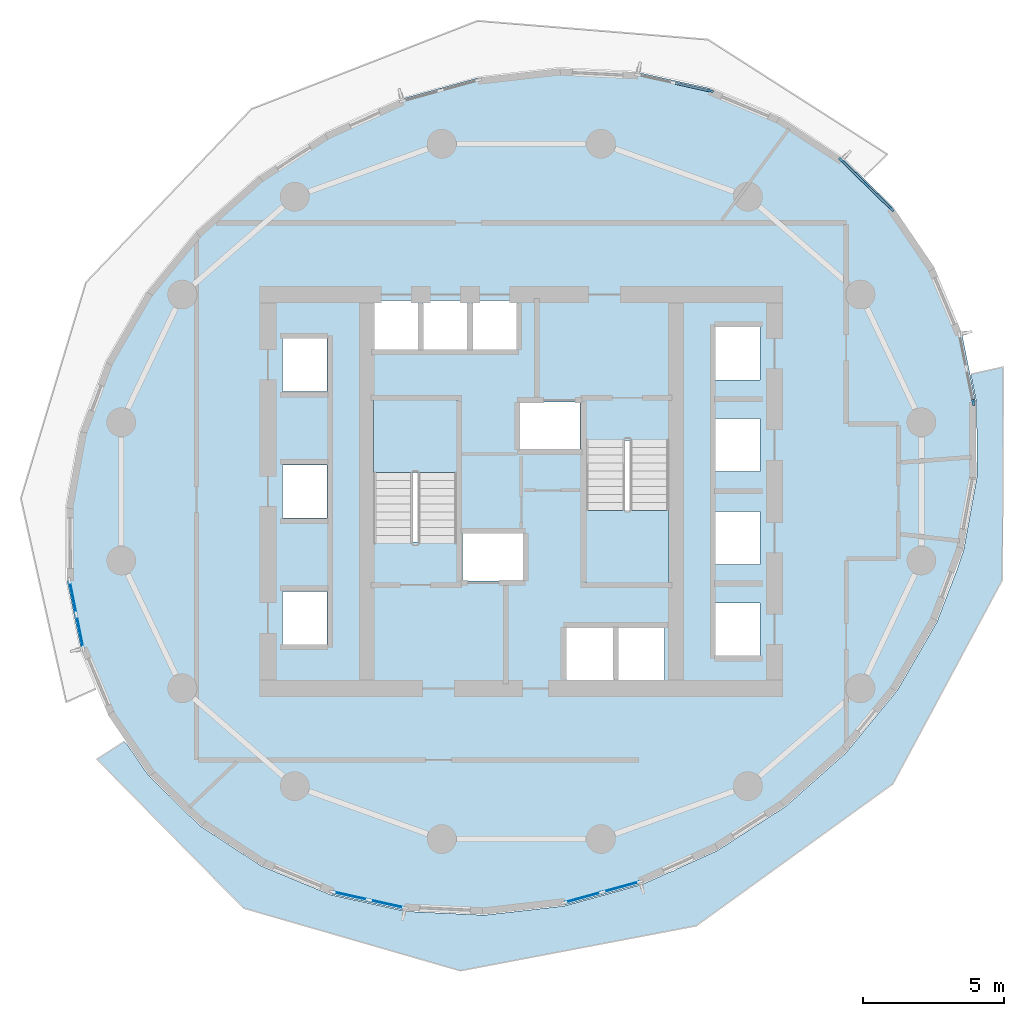
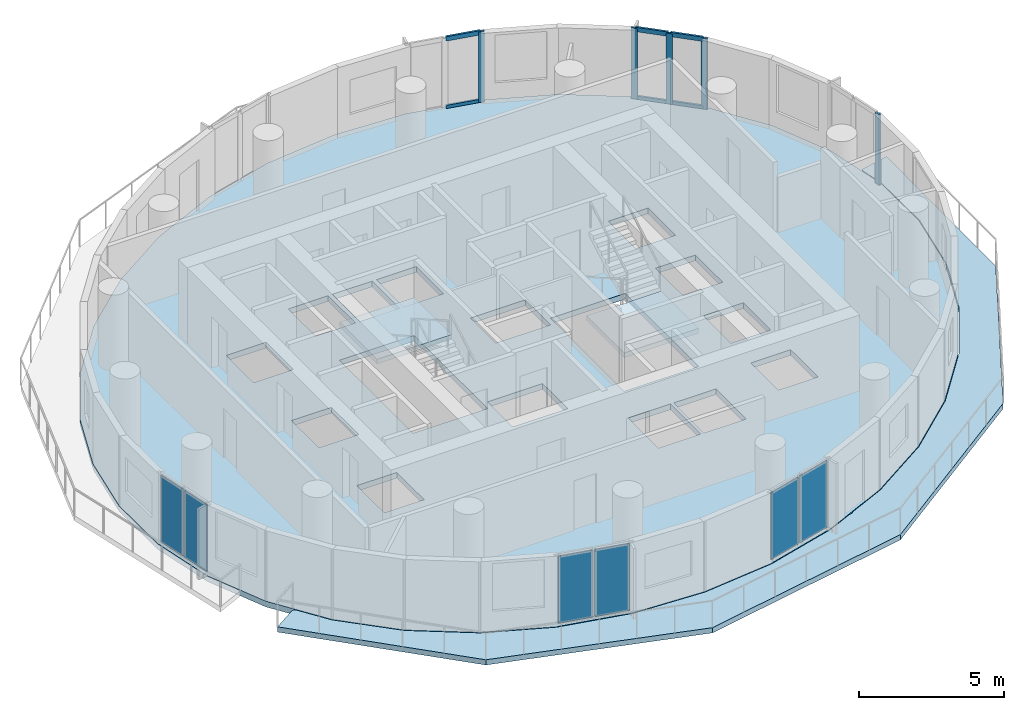
# One storey, part 2 of 11: 11 members, 6 plates, 4 slabs, 8 elements without a shape of their own.
"""IFC4 building model written with IfcOpenShell, lengths in metres."""

from ifc_helpers import new_model, si_unit, direction, frame, origin, origin_2d, place, context, subcontext, project, spatial, polyline, rectangle, outline, extrude, material, layer, layer_set, material_profile, profile_set, type_object, element, aggregate, save


model = new_model("IFC4")

# Units and contexts
model_context = context("Model", 3, precision=1e-05, world=origin(), true_north=direction((0.0, 1.0)))
body_context = subcontext(model_context, "Body", "Model", "MODEL_VIEW")
ifc_project = project(units=[si_unit("LENGTHUNIT", "METRE"), si_unit("AREAUNIT", "SQUARE_METRE"), si_unit("VOLUMEUNIT", "CUBIC_METRE"), si_unit("PLANEANGLEUNIT", "RADIAN"), si_unit("MASSUNIT", "GRAM", prefix="KILO")], contexts=[model_context])

# Site, building, storey
site_placement = place(None, origin())
site = spatial("IfcSite", under=ifc_project, at=site_placement, CompositionType="ELEMENT")
building_placement = place(site_placement, origin())
building = spatial("IfcBuilding", under=site, at=building_placement, Name="Veldorim Arch Residences", CompositionType="ELEMENT")
storey_placement = place(building_placement, frame((0.0, 0.0, 116.9599609375)))
storey = spatial("IfcBuildingStorey", under=building, at=storey_placement, Name="L34", CompositionType="ELEMENT", Elevation=116.9599609375)

# Curtain wall, members
ifc_material_1 = material(Name="Aluminium", Category="aluminium")
curtain_wall_type = type_object("IfcCurtainWallType", Name="Sky Lounge & Conservatory Tall Curtain Wall", PredefinedType="NOTDEFINED", material=ifc_material_1)
curtain_wall_1_placement = place(storey_placement, origin())
curtain_wall_1 = element("IfcCurtainWall", 1, at=curtain_wall_1_placement, inside=storey, type_object=curtain_wall_type, Name="L34 unitised curtain wall bay 02", PredefinedType="NOTDEFINED")
ifc_material_2 = material(Name="Aluminium", Category="aluminium")
ifc_material_profile_1 = material_profile(ifc_material_2, rectangle(XDim=0.080078125, YDim=0.219970703125, at=origin_2d()), Name="ALU_MUL_80x220")
ifc_profile_set_1 = profile_set([ifc_material_profile_1], Name="Aluminium")
member_type_1 = type_object("IfcMemberType", Name="Sky Lounge & Conservatory Tall Curtain Wall Mullion 80x220", PredefinedType="MULLION", material=ifc_profile_set_1)
member_1_placement = place(storey_placement, frame((43.374755859375, 35.77197265625, 0.0), z_axis=(0.0, 0.0, 1.0), x_axis=(0.698573419468, 0.715538383047, 0.0)))
member_1 = element("IfcMember", 2, at=member_1_placement, type_object=member_type_1, Name="CW-SKY mullion 1", PredefinedType="MULLION", context=body_context, shape_type="SweptSolid", body=[
    extrude(rectangle(XDim=0.080078125, YDim=0.219970703125, at=origin_2d()), origin(), (0.0, 0.0, 1.0), 2.9599609375),
])
member_2_placement = place(storey_placement, frame((44.261474609375, 34.90625, 0.0), z_axis=(0.0, 0.0, 1.0), x_axis=(0.698573419468, 0.715538383047, 0.0)))
member_2 = element("IfcMember", 3, at=member_2_placement, type_object=member_type_1, Name="CW-SKY mullion 2", PredefinedType="MULLION", context=body_context, shape_type="SweptSolid", body=[
    extrude(rectangle(XDim=0.080078125, YDim=0.219970703125, at=origin_2d()), origin(), (0.0, 0.0, 1.0), 2.9599609375),
])
member_3_placement = place(storey_placement, frame((45.148193359375, 34.040771484375, 0.0), z_axis=(0.0, 0.0, 1.0), x_axis=(0.698573419468, 0.715538383047, 0.0)))
member_3 = element("IfcMember", 4, at=member_3_placement, type_object=member_type_1, Name="CW-SKY mullion 3", PredefinedType="MULLION", context=body_context, shape_type="SweptSolid", body=[
    extrude(rectangle(XDim=0.080078125, YDim=0.219970703125, at=origin_2d()), origin(), (0.0, 0.0, 1.0), 2.9599609375),
])

# Curtain wall, member
curtain_wall_2_placement = place(storey_placement, origin())
curtain_wall_2 = element("IfcCurtainWall", 5, at=curtain_wall_2_placement, inside=storey, type_object=curtain_wall_type, Name="L34 unitised curtain wall bay 05", PredefinedType="NOTDEFINED")
member_4_placement = place(storey_placement, frame((38.7158203125, 38.234375, 0.0), z_axis=(0.0, 0.0, 1.0), x_axis=(0.215536644615, 0.976495752591, 0.0)))
member_4 = element("IfcMember", 6, at=member_4_placement, type_object=member_type_1, Name="CW-SKY mullion 3", PredefinedType="MULLION", context=body_context, shape_type="SweptSolid", body=[
    extrude(rectangle(XDim=0.080078125, YDim=0.219970703125, at=origin_2d()), origin(), (0.0, 0.0, 1.0), 2.9599609375),
])

curtain_wall_3_placement = place(storey_placement, origin())
curtain_wall_3 = element("IfcCurtainWall", 7, at=curtain_wall_3_placement, inside=storey, type_object=curtain_wall_type, Name="L34 unitised curtain wall bay 35", PredefinedType="NOTDEFINED")
member_5_placement = place(storey_placement, frame((48.061279296875, 27.162109375, 0.0), z_axis=(0.0, 0.0, 1.0), x_axis=(0.980165051786, 0.19818292373, 0.0)))
member_5 = element("IfcMember", 8, at=member_5_placement, type_object=member_type_1, Name="CW-SKY mullion 3", PredefinedType="MULLION", context=body_context, shape_type="SweptSolid", body=[
    extrude(rectangle(XDim=0.080078125, YDim=0.219970703125, at=origin_2d()), origin(), (0.0, 0.0, 1.0), 2.9599609375),
])
aggregate(curtain_wall_3, [member_5])

# Member
ifc_material_3 = material(Name="Aluminium", Category="aluminium")
ifc_material_profile_2 = material_profile(ifc_material_3, rectangle(XDim=0.080078125, YDim=0.18505859375, at=origin_2d()), Name="ALU_TRN_80x185")
ifc_profile_set_2 = profile_set([ifc_material_profile_2], Name="Aluminium")
member_type_2 = type_object("IfcMemberType", Name="Sky Lounge & Conservatory Tall Curtain Wall Transom 80x185", PredefinedType="USERDEFINED", material=ifc_profile_set_2)
member_6_placement = place(storey_placement, frame((43.403564453125, 35.743896484375, 0.0400390625), z_axis=(0.715586740969, -0.698523883736, 0.0), x_axis=(0.698523883736, 0.715586740969, 0.0)))
member_6 = element("IfcMember", 9, at=member_6_placement, type_object=member_type_2, Name="CW-SKY transom 1.1", ObjectType="TRANSOM", PredefinedType="USERDEFINED", context=body_context, shape_type="SweptSolid", body=[
    extrude(rectangle(XDim=0.080078125, YDim=0.18505859375, at=origin_2d()), origin(), (0.0, 0.0, 1.0), 1.158935546875),
])

member_7_placement = place(storey_placement, frame((43.403564453125, 35.743896484375, 2.919921875), z_axis=(0.715586740969, -0.698523883736, 0.0), x_axis=(0.698523883736, 0.715586740969, 0.0)))
member_7 = element("IfcMember", 10, at=member_7_placement, type_object=member_type_2, Name="CW-SKY transom 1.2", ObjectType="TRANSOM", PredefinedType="USERDEFINED", context=body_context, shape_type="SweptSolid", body=[
    extrude(rectangle(XDim=0.080078125, YDim=0.18505859375, at=origin_2d()), origin(), (0.0, 0.0, 1.0), 1.158935546875),
])

member_8_placement = place(storey_placement, frame((44.2900390625, 34.87841796875, 0.0400390625), z_axis=(0.715481452719, -0.698631727604, 0.0), x_axis=(0.698631727604, 0.715481452719, 0.0)))
member_8 = element("IfcMember", 11, at=member_8_placement, type_object=member_type_2, Name="CW-SKY transom 2.1", ObjectType="TRANSOM", PredefinedType="USERDEFINED", context=body_context, shape_type="SweptSolid", body=[
    extrude(rectangle(XDim=0.080078125, YDim=0.18505859375, at=origin_2d()), origin(), (0.0, 0.0, 1.0), 1.1591796875),
])

member_9_placement = place(storey_placement, frame((44.2900390625, 34.87841796875, 2.919921875), z_axis=(0.715481452719, -0.698631727604, 0.0), x_axis=(0.698631727604, 0.715481452719, 0.0)))
member_9 = element("IfcMember", 12, at=member_9_placement, type_object=member_type_2, Name="CW-SKY transom 2.2", ObjectType="TRANSOM", PredefinedType="USERDEFINED", context=body_context, shape_type="SweptSolid", body=[
    extrude(rectangle(XDim=0.080078125, YDim=0.18505859375, at=origin_2d()), origin(), (0.0, 0.0, 1.0), 1.1591796875),
])

aggregate(curtain_wall_1, [member_1, member_2, member_3, member_6, member_7, member_8, member_9])

member_10_placement = place(storey_placement, frame((37.462158203125, 38.510986328125, 0.0400390625), z_axis=(0.976500087499, -0.215517004236, 0.0), x_axis=(0.215517004236, 0.976500087499, 0.0)))
member_10 = element("IfcMember", 13, at=member_10_placement, type_object=member_type_2, Name="CW-SKY transom 2.1", ObjectType="TRANSOM", PredefinedType="USERDEFINED", context=body_context, shape_type="SweptSolid", body=[
    extrude(rectangle(XDim=0.080078125, YDim=0.18505859375, at=origin_2d()), origin(), (0.0, 0.0, 1.0), 1.243896484375),
])

member_11_placement = place(storey_placement, frame((37.462158203125, 38.510986328125, 2.919921875), z_axis=(0.976500087499, -0.215517004236, 0.0), x_axis=(0.215517004236, 0.976500087499, 0.0)))
member_11 = element("IfcMember", 14, at=member_11_placement, type_object=member_type_2, Name="CW-SKY transom 2.2", ObjectType="TRANSOM", PredefinedType="USERDEFINED", context=body_context, shape_type="SweptSolid", body=[
    extrude(rectangle(XDim=0.080078125, YDim=0.18505859375, at=origin_2d()), origin(), (0.0, 0.0, 1.0), 1.243896484375),
])

aggregate(curtain_wall_2, [member_4, member_10, member_11])

# Slab
ifc_material_4 = material(Name="Concrete C40/50", Category="concrete")
ifc_layer_1 = layer(ifc_material_4, 0.219970703125, Name="Planted Crescent Cantilever Balcony Slab 220")
ifc_layer_set_1 = layer_set([ifc_layer_1], Name="Concrete C40/50")
slab_type_1 = type_object("IfcSlabType", Name="Planted Crescent Cantilever Balcony Slab 220", PredefinedType="FLOOR", material=ifc_layer_set_1)
slab_1_placement = place(storey_placement, frame((0.0, 0.0, -0.219970703125)))
element("IfcSlab", 15, at=slab_1_placement, inside=storey, type_object=slab_type_1, Name="L34 planted crescent balcony slab B", PredefinedType="FLOOR", context=body_context, shape_type="SweptSolid", body=[
    extrude(outline(polyline([(17.992919921875, 15.00341796875), (18.7412109375, 13.90673828125), (20.5751953125, 12.1162109375), (22.75634765625, 10.68701171875), (25.21826171875, 9.66259765625), (27.885986328125, 9.073486328125), (30.678466796875, 8.9384765625), (33.51123046875, 9.2607421875), (36.297607421875, 10.030517578125), (37.275146484375, 10.469970703125), (37.404541015625, 10.496826171875), (37.529052734375, 10.584228515625), (38.95361328125, 11.224853515625), (41.3984375, 12.80712890625), (43.557861328125, 14.729248046875), (45.3662109375, 16.93310546875), (46.768798828125, 19.351806640625), (47.49658203125, 21.247314453125), (47.722412109375, 21.911865234375), (48.198486328125, 24.535400390625), (48.1826171875, 27.143310546875), (48.0009765625, 28.041015625), (48.0107421875, 28.172607421875), (49.1328125, 28.423583984375), (49.094970703125, 20.847900390625), (45.206298828125, 13.605224609375), (38.21435546875, 8.559326171875), (29.831787109375, 6.962158203125), (22.126953125, 9.1884765625), (16.9130859375, 14.480712890625), (17.880126953125, 15.10302734375), (17.992919921875, 15.00341796875)])), origin(), (0.0, 0.0, 1.0), 0.219970703125),
])

# Stair, slab
ifc_material_5 = material(Name="Concrete C40/50", Category="concrete")
stair_type = type_object("IfcStairType", Name="Reinforced Concrete Dogleg Exit Staircase", PredefinedType="HALF_TURN_STAIR", material=ifc_material_5)
stair_1_placement = place(storey_placement, origin())
stair_1 = element("IfcStair", 16, at=stair_1_placement, inside=storey, type_object=stair_type, Name="L34 Exit Staircase ST-1", PredefinedType="HALF_TURN_STAIR")
ifc_material_6 = material(Name="Concrete C40/50", Category="concrete")
ifc_layer_2 = layer(ifc_material_6, 0.199951171875, Name="Reinforced Concrete Stair Landing 200")
ifc_layer_set_2 = layer_set([ifc_layer_2], Name="Concrete C40/50")
slab_type_2 = type_object("IfcSlabType", Name="Reinforced Concrete Stair Landing 200", PredefinedType="LANDING", material=ifc_layer_set_2)
slab_2_placement = place(storey_placement, frame((0.0, 0.0, 1.400146484375)))
slab_2 = element("IfcSlab", 17, at=slab_2_placement, type_object=slab_type_2, Name="ST-1 landing 1", PredefinedType="LANDING", context=body_context, shape_type="SweptSolid", body=[
    extrude(outline(polyline([(29.7099609375, 24.669921875), (29.7099609375, 27.25), (26.75, 27.25), (26.75, 24.669921875), (29.7099609375, 24.669921875)])), origin(), (0.0, 0.0, 1.0), 0.199951171875),
])
aggregate(stair_1, [slab_2])

stair_2_placement = place(storey_placement, origin())
stair_2 = element("IfcStair", 18, at=stair_2_placement, inside=storey, type_object=stair_type, Name="L34 Exit Staircase ST-2", PredefinedType="HALF_TURN_STAIR")
slab_3_placement = place(storey_placement, frame((0.0, 0.0, 1.400146484375)))
slab_3 = element("IfcSlab", 19, at=slab_3_placement, type_object=slab_type_2, Name="ST-2 landing 1", PredefinedType="LANDING", context=body_context, shape_type="SweptSolid", body=[
    extrude(outline(polyline([(34.2900390625, 23.330078125), (34.2900390625, 20.75), (37.25, 20.75), (37.25, 23.330078125), (34.2900390625, 23.330078125)])), origin(), (0.0, 0.0, 1.0), 0.199951171875),
])
aggregate(stair_2, [slab_3])

# Curtain wall, plates
curtain_wall_4_placement = place(storey_placement, origin())
curtain_wall_4 = element("IfcCurtainWall", 20, at=curtain_wall_4_placement, inside=storey, type_object=curtain_wall_type, Name="L34 unitised curtain wall bay 17", PredefinedType="NOTDEFINED")
ifc_material_7 = material(Name="Laminated Low-E Glass", Category="glass")
ifc_layer_3 = layer(ifc_material_7, 0.031982421875, Name="Sky Lounge & Conservatory Tall Curtain Wall Glazing Panel 32")
ifc_layer_set_3 = layer_set([ifc_layer_3], Name="Laminated Low-E Glass")
plate_type = type_object("IfcPlateType", Name="Sky Lounge & Conservatory Tall Curtain Wall Glazing Panel 32", PredefinedType="CURTAIN_PANEL", material=ifc_layer_set_3)
plate_1_placement = place(storey_placement, frame((16.306884765625, 19.01611328125, 0.080078125), z_axis=(0.0, 0.0, 1.0), x_axis=(-0.19818292373, 0.980165051786, 0.0)))
plate_1 = element("IfcPlate", 21, at=plate_1_placement, type_object=plate_type, Name="CW-SKY panel 1.1", PredefinedType="CURTAIN_PANEL", context=body_context, shape_type="SweptSolid", body=[
    extrude(rectangle(XDim=1.1591796875, YDim=0.031982421875, at=origin_2d()), origin(), (0.0, 0.0, 1.0), 2.800048828125),
])
plate_2_placement = place(storey_placement, frame((16.0615234375, 20.230712890625, 0.080078125), z_axis=(0.0, 0.0, 1.0), x_axis=(-0.19818292373, 0.980165051786, 0.0)))
plate_2 = element("IfcPlate", 22, at=plate_2_placement, type_object=plate_type, Name="CW-SKY panel 2.1", PredefinedType="CURTAIN_PANEL", context=body_context, shape_type="SweptSolid", body=[
    extrude(rectangle(XDim=1.1591796875, YDim=0.031982421875, at=origin_2d()), origin(), (0.0, 0.0, 1.0), 2.800048828125),
])
aggregate(curtain_wall_4, [plate_1, plate_2])

curtain_wall_5_placement = place(storey_placement, origin())
curtain_wall_5 = element("IfcCurtainWall", 23, at=curtain_wall_5_placement, inside=storey, type_object=curtain_wall_type, Name="L34 unitised curtain wall bay 23", PredefinedType="NOTDEFINED")
plate_3_placement = place(storey_placement, frame((27.223388671875, 9.337646484375, 0.080078125), z_axis=(0.0, 0.0, 1.0), x_axis=(-0.976495752591, 0.215536644615, 0.0)))
plate_3 = element("IfcPlate", 24, at=plate_3_placement, type_object=plate_type, Name="CW-SKY panel 1.1", PredefinedType="CURTAIN_PANEL", context=body_context, shape_type="SweptSolid", body=[
    extrude(rectangle(XDim=1.243896484375, YDim=0.031982421875, at=origin_2d()), origin(), (0.0, 0.0, 1.0), 2.800048828125),
])
plate_4_placement = place(storey_placement, frame((25.9306640625, 9.623046875, 0.080078125), z_axis=(0.0, 0.0, 1.0), x_axis=(-0.976495752591, 0.215536644615, 0.0)))
plate_4 = element("IfcPlate", 25, at=plate_4_placement, type_object=plate_type, Name="CW-SKY panel 2.1", PredefinedType="CURTAIN_PANEL", context=body_context, shape_type="SweptSolid", body=[
    extrude(rectangle(XDim=1.243896484375, YDim=0.031982421875, at=origin_2d()), origin(), (0.0, 0.0, 1.0), 2.800048828125),
])
aggregate(curtain_wall_5, [plate_3, plate_4])

curtain_wall_6_placement = place(storey_placement, origin())
curtain_wall_6 = element("IfcCurtainWall", 26, at=curtain_wall_6_placement, inside=storey, type_object=curtain_wall_type, Name="L34 unitised curtain wall bay 26", PredefinedType="NOTDEFINED")
plate_5_placement = place(storey_placement, frame((35.55029296875, 9.943359375, 0.080078125), z_axis=(0.0, 0.0, 1.0), x_axis=(-0.963883228742, -0.266325217262, 0.0)))
plate_5 = element("IfcPlate", 27, at=plate_5_placement, type_object=plate_type, Name="CW-SKY panel 1.1", PredefinedType="CURTAIN_PANEL", context=body_context, shape_type="SweptSolid", body=[
    extrude(rectangle(XDim=1.323486328125, YDim=0.031982421875, at=origin_2d()), origin(), (0.0, 0.0, 1.0), 2.800048828125),
])
plate_6_placement = place(storey_placement, frame((34.197265625, 9.569580078125, 0.080078125), z_axis=(0.0, 0.0, 1.0), x_axis=(-0.963883228742, -0.266325217262, 0.0)))
plate_6 = element("IfcPlate", 28, at=plate_6_placement, type_object=plate_type, Name="CW-SKY panel 2.1", PredefinedType="CURTAIN_PANEL", context=body_context, shape_type="SweptSolid", body=[
    extrude(rectangle(XDim=1.323486328125, YDim=0.031982421875, at=origin_2d()), origin(), (0.0, 0.0, 1.0), 2.800048828125),
])
aggregate(curtain_wall_6, [plate_5, plate_6])

# Slab
ifc_material_8 = material(Name="Concrete C40/50", Category="concrete")
ifc_layer_4 = layer(ifc_material_8, 0.239990234375, Name="Typical Residential Floor Slab 240")
ifc_layer_set_4 = layer_set([ifc_layer_4], Name="Concrete C40/50")
slab_type_3 = type_object("IfcSlabType", Name="Typical Residential Floor Slab 240", PredefinedType="FLOOR", material=ifc_layer_set_4)
slab_4_placement = place(storey_placement, frame((0.0, 0.0, -0.239990234375)))
element("IfcSlab", 29, at=slab_4_placement, inside=storey, type_object=slab_type_3, Name="L34 tower structural floor slab", PredefinedType="FLOOR", context=body_context, shape_type="SweptSolid", body=[
    extrude(outline(polyline([(46.66796875, 31.98388671875), (45.239501953125, 34.0771484375), (43.4091796875, 35.8642578125), (41.23193359375, 37.291015625), (38.774169921875, 38.313720703125), (36.110595703125, 38.901611328125), (33.322265625, 39.03662109375), (30.49365234375, 38.714599609375), (27.710693359375, 37.94580078125), (25.058349609375, 36.753173828125), (22.61669921875, 35.173095703125), (20.460205078125, 33.25341796875), (18.654296875, 31.052490234375), (17.25390625, 28.637451171875), (16.3017578125, 26.08154296875), (15.826416015625, 23.46240234375), (15.842529296875, 20.859375), (16.349609375, 18.351806640625), (17.33203125, 16.01611328125), (18.760498046875, 13.9228515625), (20.5908203125, 12.1357421875), (22.76806640625, 10.708984375), (25.225830078125, 9.686279296875), (27.889404296875, 9.098388671875), (30.677734375, 8.96337890625), (33.50634765625, 9.285400390625), (36.289306640625, 10.05419921875), (38.941650390625, 11.246826171875), (41.38330078125, 12.826904296875), (43.539794921875, 14.74658203125), (45.345703125, 16.947509765625), (46.74609375, 19.362548828125), (47.6982421875, 21.91845703125), (48.173583984375, 24.53759765625), (48.157470703125, 27.140625), (47.650390625, 29.648193359375), (46.66796875, 31.98388671875)]), holes=[polyline([(23.510009765625, 20.43994140625), (25.090087890625, 20.43994140625), (25.090087890625, 18.56005859375), (23.510009765625, 18.56005859375), (23.510009765625, 20.43994140625)]), polyline([(29.909912109375, 22.544921875), (32.090087890625, 22.544921875), (32.090087890625, 20.81494140625), (29.909912109375, 20.81494140625), (29.909912109375, 22.544921875)]), polyline([(23.510009765625, 24.93994140625), (25.090087890625, 24.93994140625), (25.090087890625, 23.06005859375), (23.510009765625, 23.06005859375), (23.510009765625, 24.93994140625)]), polyline([(26.75, 27.25), (29.7099609375, 27.25), (29.7099609375, 22.195068359375), (26.75, 22.195068359375), (26.75, 27.25)]), polyline([(23.510009765625, 29.43994140625), (25.090087890625, 29.43994140625), (25.090087890625, 27.56005859375), (23.510009765625, 27.56005859375), (23.510009765625, 29.43994140625)]), polyline([(26.760009765625, 30.7900390625), (28.340087890625, 30.7900390625), (28.340087890625, 28.909912109375), (26.760009765625, 28.909912109375), (26.760009765625, 30.7900390625)]), polyline([(28.510009765625, 30.7900390625), (30.090087890625, 30.7900390625), (30.090087890625, 28.909912109375), (28.510009765625, 28.909912109375), (28.510009765625, 30.7900390625)]), polyline([(30.260009765625, 30.7900390625), (31.840087890625, 30.7900390625), (31.840087890625, 28.909912109375), (30.260009765625, 28.909912109375), (30.260009765625, 30.7900390625)]), polyline([(33.610107421875, 19.2900390625), (35.2900390625, 19.2900390625), (35.2900390625, 17.2099609375), (33.610107421875, 17.2099609375), (33.610107421875, 19.2900390625)]), polyline([(35.409912109375, 19.2900390625), (37.090087890625, 19.2900390625), (37.090087890625, 17.2099609375), (35.409912109375, 17.2099609375), (35.409912109375, 19.2900390625)]), polyline([(38.909912109375, 20.0400390625), (40.489990234375, 20.0400390625), (40.489990234375, 18.159912109375), (38.909912109375, 18.159912109375), (38.909912109375, 20.0400390625)]), polyline([(38.909912109375, 23.2900390625), (40.489990234375, 23.2900390625), (40.489990234375, 21.409912109375), (38.909912109375, 21.409912109375), (38.909912109375, 23.2900390625)]), polyline([(34.2900390625, 25.804931640625), (37.25, 25.804931640625), (37.25, 20.75), (34.2900390625, 20.75), (34.2900390625, 25.804931640625)]), polyline([(38.909912109375, 26.590087890625), (40.489990234375, 26.590087890625), (40.489990234375, 24.7099609375), (38.909912109375, 24.7099609375), (38.909912109375, 26.590087890625)]), polyline([(31.909912109375, 27.18505859375), (34.090087890625, 27.18505859375), (34.090087890625, 25.455078125), (31.909912109375, 25.455078125), (31.909912109375, 27.18505859375)]), polyline([(38.909912109375, 29.840087890625), (40.489990234375, 29.840087890625), (40.489990234375, 27.9599609375), (38.909912109375, 27.9599609375), (38.909912109375, 29.840087890625)])]), origin(), (0.0, 0.0, 1.0), 0.239990234375),
])

save(model, "model.ifc")
